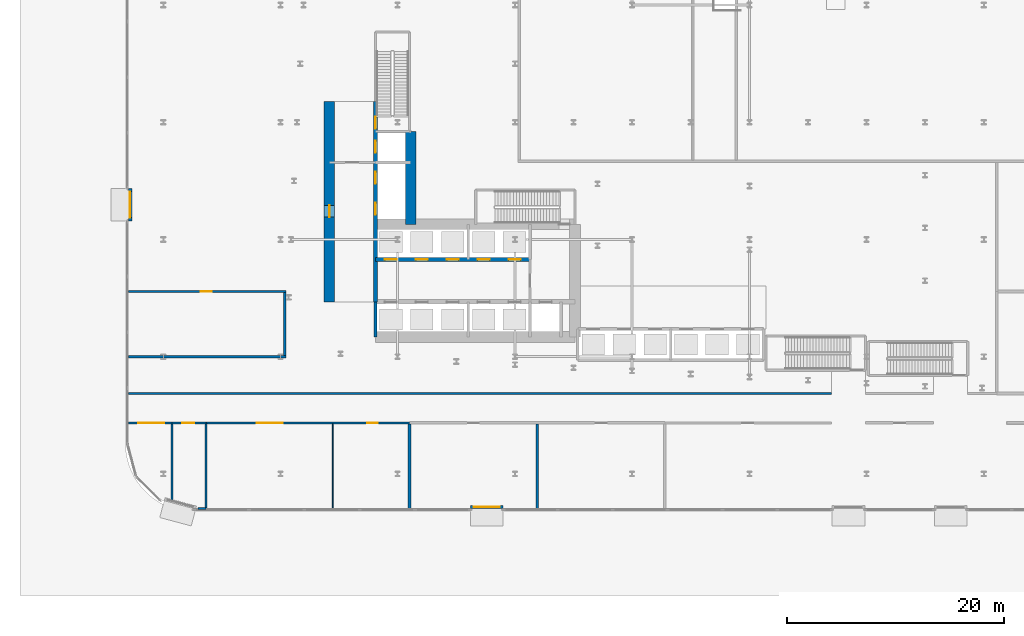
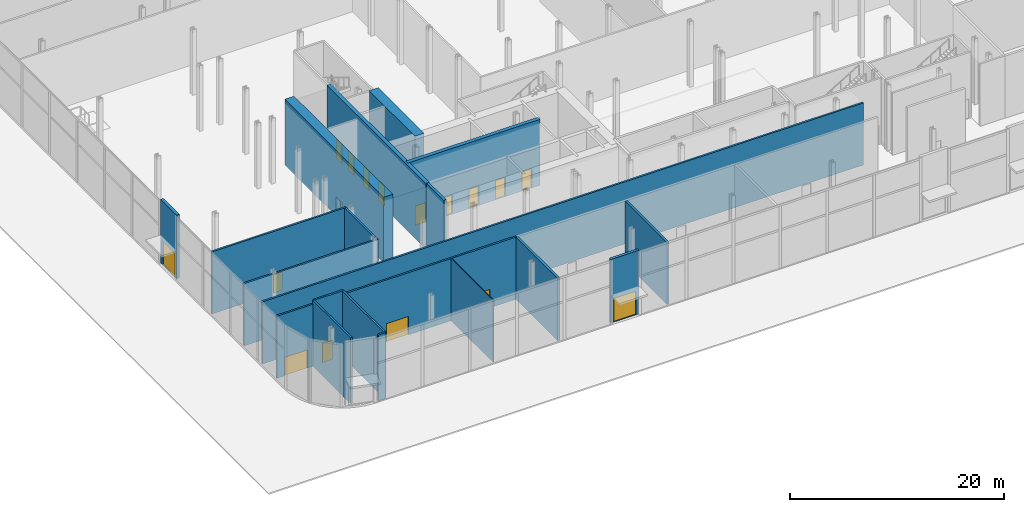
# One storey, part 23 of 46: 20 walls, 17 doors, 17 openings.
"""IFC4 building model written with IfcOpenShell, lengths in metres."""

from ifc_helpers import new_model, si_unit, direction, frame, frame_2d, origin, place, context, subcontext, project, spatial, rectangle, extrude, source, transform, mapped, material, layer, layer_set, type_object, element, fill, save


model = new_model("IFC4")

# Units and contexts
model_context = context("Model", 3, precision=1e-05, world=origin(), true_north=direction((0.0, 1.0)))
body_context = subcontext(model_context, "Body", "Model", "MODEL_VIEW")
ifc_project = project(units=[si_unit("LENGTHUNIT", "METRE"), si_unit("AREAUNIT", "SQUARE_METRE"), si_unit("VOLUMEUNIT", "CUBIC_METRE"), si_unit("PLANEANGLEUNIT", "RADIAN"), si_unit("MASSUNIT", "GRAM", prefix="KILO")], contexts=[model_context])

# Site, building, storey
site_placement = place(None, origin())
site = spatial("IfcSite", under=ifc_project, at=site_placement, CompositionType="ELEMENT")
building_placement = place(site_placement, origin())
building = spatial("IfcBuilding", under=site, at=building_placement, Name="Kheshtan School and Residences Tower", CompositionType="ELEMENT")
storey_placement = place(building_placement, origin())
storey = spatial("IfcBuildingStorey", under=building, at=storey_placement, Name="L00", CompositionType="ELEMENT", Elevation=0.0)

# Wall
ifc_material_1 = material(Name="Concrete C80/95", Category="concrete")
ifc_layer_1 = layer(ifc_material_1, 1.0)
ifc_layer_set_1 = layer_set([ifc_layer_1], Name="Core wall 1000 Concrete C80/95")
wall_type_1 = type_object("IfcWallType", Name="Core wall 1000 Concrete C80/95", PredefinedType="SHEAR", material=ifc_layer_set_1)
wall_1_placement = place(storey_placement, frame((38.0, 36.199951171875, 0.0), z_axis=(0.0, 0.0, 1.0), x_axis=(0.0, 1.0, 0.0)))
element("IfcWall", 1, at=wall_1_placement, inside=storey, type_object=wall_type_1, Name="Core wall CW-FRONT-W", PredefinedType="SHEAR", context=body_context, shape_type="SweptSolid", body=[
    extrude(rectangle(XDim=8.550048828125, YDim=1.0, at=frame_2d((4.27490234375, 0.0))), origin(), (0.0, 0.0, 1.0), 7.5),
])

# Wall, opening, door
wall_2_placement = place(storey_placement, frame((30.5, 29.050048828125, 0.0), z_axis=(0.0, 0.0, 1.0), x_axis=(0.0, 1.0, 0.0)))
wall_2 = element("IfcWall", 2, at=wall_2_placement, inside=storey, type_object=wall_type_1, Name="Core wall CW-REAR-W", PredefinedType="SHEAR", context=body_context, shape_type="SweptSolid", body=[
    extrude(rectangle(XDim=18.449951171875, YDim=1.0, at=frame_2d((9.22509765625, 0.0))), origin(), (0.0, 0.0, 1.0), 7.5),
])
opening_1_placement = place(wall_2_placement, frame((7.800048828125, 0.0, 0.0)))
opening_1 = element("IfcOpeningElement", 3, at=opening_1_placement, cuts=wall_2, Name="Opening SD90", PredefinedType="OPENING", context=body_context, shape_type="SweptSolid", body=[
    extrude(rectangle(XDim=1.10009765625, YDim=2.199951171875, at=frame_2d((0.550048828125, 1.10009765625))), frame((0.0, 0.510009765625, 0.0), z_axis=(0.0, -1.0, 0.0), x_axis=(1.0, 0.0, 0.0)), (0.0, 0.0, 1.0), 1.02001953125),
])
ifc_material_2 = material(Name="Steel door leaf, galvanised", Category="steel")
door_type_1 = type_object("IfcDoorType", Name="Stair door 1100 steel 90 min", OperationType="SINGLE_SWING_LEFT", PredefinedType="DOOR", material=ifc_material_2)
shared_shape_1 = source(origin(), body_context, "Body", "SweptSolid", [
    extrude(rectangle(XDim=1.10009765625, YDim=2.199951171875, at=frame_2d((0.550048828125, 1.10009765625))), frame((0.0, 0.02490234375, 0.0), z_axis=(0.0, -1.0, 0.0), x_axis=(1.0, 0.0, 0.0)), (0.0, 0.0, 1.0), 0.050048828125),
])
door_1_placement = place(opening_1_placement, origin())
door_1 = element("IfcDoor", 4, at=door_1_placement, inside=storey, type_object=door_type_1, Name="Lift hall door", OperationType="SINGLE_SWING_LEFT", OverallHeight=2.199951171875, OverallWidth=1.10009765625, PredefinedType="DOOR", context=body_context, shape_type="MappedRepresentation", body=[
    mapped(shared_shape_1, transform((0.0, 0.0, 0.0), x_axis=(1.0, 0.0, 0.0), y_axis=(0.0, 1.0, 0.0), z_axis=(0.0, 0.0, 1.0), scale=1.0)),
])
fill(opening_1, door_1)

# Wall, openings, doors
ifc_material_3 = material(Name="Concrete C50/60", Category="concrete")
ifc_layer_2 = layer(ifc_material_3, 0.39990234375)
ifc_layer_set_2 = layer_set([ifc_layer_2], Name="Core wall 400 Concrete C50/60")
wall_type_2 = type_object("IfcWallType", Name="Core wall 400 Concrete C50/60", PredefinedType="SHEAR", material=ifc_layer_set_2)
wall_3_placement = place(storey_placement, frame((34.75, 32.949951171875, 0.0), z_axis=(0.0, 0.0, 1.0), x_axis=(1.0, 0.0, 0.0)))
wall_3 = element("IfcWall", 5, at=wall_3_placement, inside=storey, type_object=wall_type_2, Name="Core wall CW-HALL-S2", PredefinedType="SHEAR", context=body_context, shape_type="SweptSolid", body=[
    extrude(rectangle(XDim=14.25, YDim=0.39990234375, at=frame_2d((7.125, 0.0))), origin(), (0.0, 0.0, 1.0), 7.5),
])
opening_2_placement = place(wall_3_placement, frame((0.875, 0.0, 0.0)))
opening_2 = element("IfcOpeningElement", 6, at=opening_2_placement, cuts=wall_3, Name="Opening LD", PredefinedType="OPENING", context=body_context, shape_type="SweptSolid", body=[
    extrude(rectangle(XDim=1.10009765625, YDim=2.199951171875, at=frame_2d((0.550048828125, 1.10009765625))), frame((0.0, 0.2099609375, 0.0), z_axis=(0.0, -1.0, 0.0), x_axis=(1.0, 0.0, 0.0)), (0.0, 0.0, 1.0), 0.419921875),
])
opening_3_placement = place(wall_3_placement, frame((3.72509765625, 0.0, 0.0)))
opening_3 = element("IfcOpeningElement", 7, at=opening_3_placement, cuts=wall_3, Name="Opening LD", PredefinedType="OPENING", context=body_context, shape_type="SweptSolid", body=[
    extrude(rectangle(XDim=1.10009765625, YDim=2.199951171875, at=frame_2d((0.550048828125, 1.10009765625))), frame((0.0, 0.2099609375, 0.0), z_axis=(0.0, -1.0, 0.0), x_axis=(1.0, 0.0, 0.0)), (0.0, 0.0, 1.0), 0.419921875),
])
opening_4_placement = place(wall_3_placement, frame((6.574951171875, 0.0, 0.0)))
opening_4 = element("IfcOpeningElement", 8, at=opening_4_placement, cuts=wall_3, Name="Opening LD", PredefinedType="OPENING", context=body_context, shape_type="SweptSolid", body=[
    extrude(rectangle(XDim=1.10009765625, YDim=2.199951171875, at=frame_2d((0.550048828125, 1.10009765625))), frame((0.0, 0.2099609375, 0.0), z_axis=(0.0, -1.0, 0.0), x_axis=(1.0, 0.0, 0.0)), (0.0, 0.0, 1.0), 0.419921875),
])
opening_5_placement = place(wall_3_placement, frame((9.425048828125, 0.0, 0.0)))
opening_5 = element("IfcOpeningElement", 9, at=opening_5_placement, cuts=wall_3, Name="Opening LD", PredefinedType="OPENING", context=body_context, shape_type="SweptSolid", body=[
    extrude(rectangle(XDim=1.10009765625, YDim=2.199951171875, at=frame_2d((0.550048828125, 1.10009765625))), frame((0.0, 0.2099609375, 0.0), z_axis=(0.0, -1.0, 0.0), x_axis=(1.0, 0.0, 0.0)), (0.0, 0.0, 1.0), 0.419921875),
])
opening_6_placement = place(wall_3_placement, frame((12.27490234375, 0.0, 0.0)))
opening_6 = element("IfcOpeningElement", 10, at=opening_6_placement, cuts=wall_3, Name="Opening LD", PredefinedType="OPENING", context=body_context, shape_type="SweptSolid", body=[
    extrude(rectangle(XDim=1.10009765625, YDim=2.199951171875, at=frame_2d((0.550048828125, 1.10009765625))), frame((0.0, 0.2099609375, 0.0), z_axis=(0.0, -1.0, 0.0), x_axis=(1.0, 0.0, 0.0)), (0.0, 0.0, 1.0), 0.419921875),
])
ifc_material_4 = material(Name="Stainless steel door leaves", Category="steel")
door_type_2 = type_object("IfcDoorType", Name="Lift landing door 1100", OperationType="SLIDING_TO_LEFT", PredefinedType="DOOR", material=ifc_material_4)
shared_shape_2 = source(origin(), body_context, "Body", "SweptSolid", [
    extrude(rectangle(XDim=1.10009765625, YDim=2.199951171875, at=frame_2d((0.550048828125, 1.10009765625))), frame((0.0, 0.02490234375, 0.0), z_axis=(0.0, -1.0, 0.0), x_axis=(1.0, 0.0, 0.0)), (0.0, 0.0, 1.0), 0.050048828125),
])
door_2_placement = place(opening_2_placement, origin())
door_2 = element("IfcDoor", 11, at=door_2_placement, inside=storey, type_object=door_type_2, Name="Lift P12 landing door", OperationType="SLIDING_TO_LEFT", OverallHeight=2.199951171875, OverallWidth=1.10009765625, PredefinedType="DOOR", context=body_context, shape_type="MappedRepresentation", body=[
    mapped(shared_shape_2, transform((0.0, 0.0, 0.0), x_axis=(1.0, 0.0, 0.0), y_axis=(0.0, 1.0, 0.0), z_axis=(0.0, 0.0, 1.0), scale=1.0)),
])
fill(opening_2, door_2)
door_3_placement = place(opening_3_placement, origin())
door_3 = element("IfcDoor", 12, at=door_3_placement, inside=storey, type_object=door_type_2, Name="Lift P13 landing door", OperationType="SLIDING_TO_LEFT", OverallHeight=2.199951171875, OverallWidth=1.10009765625, PredefinedType="DOOR", context=body_context, shape_type="MappedRepresentation", body=[
    mapped(shared_shape_2, transform((0.0, 0.0, 0.0), x_axis=(1.0, 0.0, 0.0), y_axis=(0.0, 1.0, 0.0), z_axis=(0.0, 0.0, 1.0), scale=1.0)),
])
fill(opening_3, door_3)
door_4_placement = place(opening_4_placement, origin())
door_4 = element("IfcDoor", 13, at=door_4_placement, inside=storey, type_object=door_type_2, Name="Lift P14 landing door", OperationType="SLIDING_TO_LEFT", OverallHeight=2.199951171875, OverallWidth=1.10009765625, PredefinedType="DOOR", context=body_context, shape_type="MappedRepresentation", body=[
    mapped(shared_shape_2, transform((0.0, 0.0, 0.0), x_axis=(1.0, 0.0, 0.0), y_axis=(0.0, 1.0, 0.0), z_axis=(0.0, 0.0, 1.0), scale=1.0)),
])
fill(opening_4, door_4)
door_5_placement = place(opening_5_placement, origin())
door_5 = element("IfcDoor", 14, at=door_5_placement, inside=storey, type_object=door_type_2, Name="Lift P15 landing door", OperationType="SLIDING_TO_LEFT", OverallHeight=2.199951171875, OverallWidth=1.10009765625, PredefinedType="DOOR", context=body_context, shape_type="MappedRepresentation", body=[
    mapped(shared_shape_2, transform((0.0, 0.0, 0.0), x_axis=(1.0, 0.0, 0.0), y_axis=(0.0, 1.0, 0.0), z_axis=(0.0, 0.0, 1.0), scale=1.0)),
])
fill(opening_5, door_5)
door_6_placement = place(opening_6_placement, origin())
door_6 = element("IfcDoor", 15, at=door_6_placement, inside=storey, type_object=door_type_2, Name="Lift P16 landing door", OperationType="SLIDING_TO_LEFT", OverallHeight=2.199951171875, OverallWidth=1.10009765625, PredefinedType="DOOR", context=body_context, shape_type="MappedRepresentation", body=[
    mapped(shared_shape_2, transform((0.0, 0.0, 0.0), x_axis=(1.0, 0.0, 0.0), y_axis=(0.0, 1.0, 0.0), z_axis=(0.0, 0.0, 1.0), scale=1.0)),
])
fill(opening_6, door_6)

wall_4_placement = place(storey_placement, frame((34.75, 29.050048828125, 0.0), z_axis=(0.0, 0.0, 1.0), x_axis=(0.0, 1.0, 0.0)))
wall_4 = element("IfcWall", 16, at=wall_4_placement, inside=storey, type_object=wall_type_2, Name="Core wall CW-HALL-W1", PredefinedType="SHEAR", context=body_context, shape_type="SweptSolid", body=[
    extrude(rectangle(XDim=18.449951171875, YDim=0.39990234375, at=frame_2d((9.22509765625, 0.0))), origin(), (0.0, 0.0, 1.0), 7.5),
])
opening_7_placement = place(wall_4_placement, frame((8.02490234375, 0.0, 0.0)))
opening_7 = element("IfcOpeningElement", 17, at=opening_7_placement, cuts=wall_4, Name="Opening LD", PredefinedType="OPENING", context=body_context, shape_type="SweptSolid", body=[
    extrude(rectangle(XDim=1.10009765625, YDim=2.199951171875, at=frame_2d((0.550048828125, 1.10009765625))), frame((0.0, 0.2099609375, 0.0), z_axis=(0.0, -1.0, 0.0), x_axis=(1.0, 0.0, 0.0)), (0.0, 0.0, 1.0), 0.419921875),
])
opening_8_placement = place(wall_4_placement, frame((10.875, 0.0, 0.0)))
opening_8 = element("IfcOpeningElement", 18, at=opening_8_placement, cuts=wall_4, Name="Opening LD", PredefinedType="OPENING", context=body_context, shape_type="SweptSolid", body=[
    extrude(rectangle(XDim=1.10009765625, YDim=2.199951171875, at=frame_2d((0.550048828125, 1.10009765625))), frame((0.0, 0.2099609375, 0.0), z_axis=(0.0, -1.0, 0.0), x_axis=(1.0, 0.0, 0.0)), (0.0, 0.0, 1.0), 0.419921875),
])
opening_9_placement = place(wall_4_placement, frame((13.72509765625, 0.0, 0.0)))
opening_9 = element("IfcOpeningElement", 19, at=opening_9_placement, cuts=wall_4, Name="Opening LD", PredefinedType="OPENING", context=body_context, shape_type="SweptSolid", body=[
    extrude(rectangle(XDim=1.10009765625, YDim=2.199951171875, at=frame_2d((0.550048828125, 1.10009765625))), frame((0.0, 0.2099609375, 0.0), z_axis=(0.0, -1.0, 0.0), x_axis=(1.0, 0.0, 0.0)), (0.0, 0.0, 1.0), 0.419921875),
])
opening_10_placement = place(wall_4_placement, frame((15.949951171875, 0.0, 0.0)))
opening_10 = element("IfcOpeningElement", 20, at=opening_10_placement, cuts=wall_4, Name="Opening ST2D", PredefinedType="OPENING", context=body_context, shape_type="SweptSolid", body=[
    extrude(rectangle(XDim=1.10009765625, YDim=2.199951171875, at=frame_2d((0.550048828125, 1.10009765625))), frame((0.0, 0.2099609375, 0.0), z_axis=(0.0, -1.0, 0.0), x_axis=(1.0, 0.0, 0.0)), (0.0, 0.0, 1.0), 0.419921875),
])
door_7_placement = place(opening_7_placement, origin())
door_7 = element("IfcDoor", 21, at=door_7_placement, inside=storey, type_object=door_type_2, Name="Lift SV1 landing door", OperationType="SLIDING_TO_LEFT", OverallHeight=2.199951171875, OverallWidth=1.10009765625, PredefinedType="DOOR", context=body_context, shape_type="MappedRepresentation", body=[
    mapped(shared_shape_2, transform((0.0, 0.0, 0.0), x_axis=(1.0, 0.0, 0.0), y_axis=(0.0, 1.0, 0.0), z_axis=(0.0, 0.0, 1.0), scale=1.0)),
])
fill(opening_7, door_7)
door_8_placement = place(opening_8_placement, origin())
door_8 = element("IfcDoor", 22, at=door_8_placement, inside=storey, type_object=door_type_2, Name="Lift SV2 landing door", OperationType="SLIDING_TO_LEFT", OverallHeight=2.199951171875, OverallWidth=1.10009765625, PredefinedType="DOOR", context=body_context, shape_type="MappedRepresentation", body=[
    mapped(shared_shape_2, transform((0.0, 0.0, 0.0), x_axis=(1.0, 0.0, 0.0), y_axis=(0.0, 1.0, 0.0), z_axis=(0.0, 0.0, 1.0), scale=1.0)),
])
fill(opening_8, door_8)
door_9_placement = place(opening_9_placement, origin())
door_9 = element("IfcDoor", 23, at=door_9_placement, inside=storey, type_object=door_type_2, Name="Lift FFL1 landing door", OperationType="SLIDING_TO_LEFT", OverallHeight=2.199951171875, OverallWidth=1.10009765625, PredefinedType="DOOR", context=body_context, shape_type="MappedRepresentation", body=[
    mapped(shared_shape_2, transform((0.0, 0.0, 0.0), x_axis=(1.0, 0.0, 0.0), y_axis=(0.0, 1.0, 0.0), z_axis=(0.0, 0.0, 1.0), scale=1.0)),
])
fill(opening_9, door_9)
door_10_placement = place(opening_10_placement, origin())
door_10 = element("IfcDoor", 24, at=door_10_placement, inside=storey, type_object=door_type_1, Name="Stair ST2 door", OperationType="SINGLE_SWING_RIGHT", OverallHeight=2.199951171875, OverallWidth=1.10009765625, PredefinedType="DOOR", context=body_context, shape_type="MappedRepresentation", body=[
    mapped(shared_shape_1, transform((0.0, 0.0, 0.0), x_axis=(1.0, 0.0, 0.0), y_axis=(0.0, 1.0, 0.0), z_axis=(0.0, 0.0, 1.0), scale=1.0)),
])
fill(opening_10, door_10)

# Wall, opening, door
ifc_material_5 = material(Name="Gypsum board on steel studs with fire boards", Category="steel")
ifc_layer_3 = layer(ifc_material_5, 0.199951171875)
ifc_layer_set_3 = layer_set([ifc_layer_3], Name="Corridor wall 200")
wall_type_3 = type_object("IfcWallType", Name="Corridor wall 200", PredefinedType="PARTITIONING", material=ifc_layer_set_3)
wall_5_placement = place(storey_placement, frame((12.0, 17.89990234375, 0.0), z_axis=(0.0, 0.0, 1.0), x_axis=(1.0, 0.0, 0.0)))
wall_5 = element("IfcWall", 25, at=wall_5_placement, inside=storey, type_object=wall_type_3, Name="Partition L00-001", PredefinedType="PARTITIONING", context=body_context, shape_type="SweptSolid", body=[
    extrude(rectangle(XDim=4.0, YDim=0.199951171875, at=frame_2d((2.0, 0.0))), origin(), (0.0, 0.0, 1.0), 7.080078125),
])
opening_11_placement = place(wall_5_placement, frame((0.89990234375, 0.0, 0.0)))
opening_11 = element("IfcOpeningElement", 26, at=opening_11_placement, cuts=wall_5, Name="Opening D00-031", PredefinedType="OPENING", context=body_context, shape_type="SweptSolid", body=[
    extrude(rectangle(XDim=2.39990234375, YDim=2.10009765625, at=frame_2d((1.199951171875, 1.050048828125))), frame((0.0, 0.10986328125, 0.0), z_axis=(0.0, -1.0, 0.0), x_axis=(1.0, 0.0, 0.0)), (0.0, 0.0, 1.0), 0.219970703125),
])
ifc_material_6 = material(Name="Steel-framed fire-resisting door leaf", Category="steel")
door_type_3 = type_object("IfcDoorType", Name="Fire double door FD60 2400 x 2100", OperationType="DOUBLE_DOOR_SINGLE_SWING", PredefinedType="DOOR", material=ifc_material_6)
shared_shape_3 = source(origin(), body_context, "Body", "SweptSolid", [
    extrude(rectangle(XDim=2.39990234375, YDim=2.10009765625, at=frame_2d((1.199951171875, 1.050048828125))), frame((0.0, 0.02490234375, 0.0), z_axis=(0.0, -1.0, 0.0), x_axis=(1.0, 0.0, 0.0)), (0.0, 0.0, 1.0), 0.050048828125),
])
door_11_placement = place(opening_11_placement, origin())
door_11 = element("IfcDoor", 27, at=door_11_placement, inside=storey, type_object=door_type_3, Name="Door D00-031", OperationType="DOUBLE_DOOR_SINGLE_SWING", OverallHeight=2.10009765625, OverallWidth=2.39990234375, PredefinedType="DOOR", context=body_context, shape_type="MappedRepresentation", body=[
    mapped(shared_shape_3, transform((0.0, 0.0, 0.0), x_axis=(1.0, 0.0, 0.0), y_axis=(0.0, 1.0, 0.0), z_axis=(0.0, 0.0, 1.0), scale=1.0)),
])
fill(opening_11, door_11)

# Walls
wall_6_placement = place(storey_placement, frame((12.0, 20.60009765625, 0.0), z_axis=(0.0, 0.0, 1.0), x_axis=(1.0, 0.0, 0.0)))
element("IfcWall", 28, at=wall_6_placement, inside=storey, type_object=wall_type_3, Name="Partition L00-002", PredefinedType="PARTITIONING", context=body_context, shape_type="SweptSolid", body=[
    extrude(rectangle(XDim=64.760009765625, YDim=0.199951171875, at=frame_2d((32.3798828125, 0.0))), origin(), (0.0, 0.0, 1.0), 7.080078125),
])
wall_7_placement = place(storey_placement, frame((12.0, 24.0, 0.0), z_axis=(0.0, 0.0, 1.0), x_axis=(1.0, 0.0, 0.0)))
element("IfcWall", 29, at=wall_7_placement, inside=storey, type_object=wall_type_3, Name="Partition L00-003", PredefinedType="PARTITIONING", context=body_context, shape_type="SweptSolid", body=[
    extrude(rectangle(XDim=14.5, YDim=0.199951171875, at=frame_2d((7.25, 0.0))), origin(), (0.0, 0.0, 1.0), 7.080078125),
])

# Wall, opening, door
wall_8_placement = place(storey_placement, frame((12.0, 30.0, 0.0), z_axis=(0.0, 0.0, 1.0), x_axis=(1.0, 0.0, 0.0)))
wall_8 = element("IfcWall", 30, at=wall_8_placement, inside=storey, type_object=wall_type_3, Name="Partition L00-004", PredefinedType="PARTITIONING", context=body_context, shape_type="SweptSolid", body=[
    extrude(rectangle(XDim=14.5, YDim=0.199951171875, at=frame_2d((7.25, 0.0))), origin(), (0.0, 0.0, 1.0), 7.080078125),
])
opening_12_placement = place(wall_8_placement, frame((6.64990234375, 0.0, 0.0)))
opening_12 = element("IfcOpeningElement", 31, at=opening_12_placement, cuts=wall_8, Name="Opening D00-001", PredefinedType="OPENING", context=body_context, shape_type="SweptSolid", body=[
    extrude(rectangle(XDim=1.0, YDim=2.10009765625, at=frame_2d((0.5, 1.050048828125))), frame((0.0, 0.10986328125, 0.0), z_axis=(0.0, -1.0, 0.0), x_axis=(1.0, 0.0, 0.0)), (0.0, 0.0, 1.0), 0.219970703125),
])
door_type_4 = type_object("IfcDoorType", Name="Fire door FD60 1000 x 2100", OperationType="SINGLE_SWING_LEFT", PredefinedType="DOOR", material=ifc_material_6)
shared_shape_4 = source(origin(), body_context, "Body", "SweptSolid", [
    extrude(rectangle(XDim=1.0, YDim=2.10009765625, at=frame_2d((0.5, 1.050048828125))), frame((0.0, 0.02490234375, 0.0), z_axis=(0.0, -1.0, 0.0), x_axis=(1.0, 0.0, 0.0)), (0.0, 0.0, 1.0), 0.050048828125),
])
door_12_placement = place(opening_12_placement, origin())
door_12 = element("IfcDoor", 32, at=door_12_placement, inside=storey, type_object=door_type_4, Name="Door D00-001", OperationType="SINGLE_SWING_LEFT", OverallHeight=2.10009765625, OverallWidth=1.0, PredefinedType="DOOR", context=body_context, shape_type="MappedRepresentation", body=[
    mapped(shared_shape_4, transform((0.0, 0.0, 0.0), x_axis=(1.0, 0.0, 0.0), y_axis=(0.0, 1.0, 0.0), z_axis=(0.0, 0.0, 1.0), scale=1.0)),
])
fill(opening_12, door_12)

# Wall, openings, doors
wall_9_placement = place(storey_placement, frame((19.14990234375, 17.89990234375, 0.0), z_axis=(0.0, 0.0, 1.0), x_axis=(1.0, 0.0, 0.0)))
wall_9 = element("IfcWall", 33, at=wall_9_placement, inside=storey, type_object=wall_type_3, Name="Partition L00-010", PredefinedType="PARTITIONING", context=body_context, shape_type="SweptSolid", body=[
    extrude(rectangle(XDim=18.732177734375, YDim=0.199951171875, at=frame_2d((9.3662109375, 0.0))), origin(), (0.0, 0.0, 1.0), 7.080078125),
])
opening_13_placement = place(wall_9_placement, frame((4.64990234375, 0.0, 0.0)))
opening_13 = element("IfcOpeningElement", 34, at=opening_13_placement, cuts=wall_9, Name="Opening D00-030", PredefinedType="OPENING", context=body_context, shape_type="SweptSolid", body=[
    extrude(rectangle(XDim=2.39990234375, YDim=2.10009765625, at=frame_2d((1.199951171875, 1.050048828125))), frame((0.0, 0.10986328125, 0.0), z_axis=(0.0, -1.0, 0.0), x_axis=(1.0, 0.0, 0.0)), (0.0, 0.0, 1.0), 0.219970703125),
])
opening_14_placement = place(wall_9_placement, frame((14.823974609375, 0.0, 0.0)))
opening_14 = element("IfcOpeningElement", 35, at=opening_14_placement, cuts=wall_9, Name="Opening D00-032", PredefinedType="OPENING", context=body_context, shape_type="SweptSolid", body=[
    extrude(rectangle(XDim=1.0, YDim=2.10009765625, at=frame_2d((0.5, 1.050048828125))), frame((0.0, 0.10986328125, 0.0), z_axis=(0.0, -1.0, 0.0), x_axis=(1.0, 0.0, 0.0)), (0.0, 0.0, 1.0), 0.219970703125),
])
door_13_placement = place(opening_14_placement, origin())
door_13 = element("IfcDoor", 36, at=door_13_placement, inside=storey, type_object=door_type_4, Name="Door D00-032", OperationType="SINGLE_SWING_LEFT", OverallHeight=2.10009765625, OverallWidth=1.0, PredefinedType="DOOR", context=body_context, shape_type="MappedRepresentation", body=[
    mapped(shared_shape_4, transform((0.0, 0.0, 0.0), x_axis=(1.0, 0.0, 0.0), y_axis=(0.0, 1.0, 0.0), z_axis=(0.0, 0.0, 1.0), scale=1.0)),
])
fill(opening_14, door_13)
door_14_placement = place(opening_13_placement, origin())
door_14 = element("IfcDoor", 37, at=door_14_placement, inside=storey, type_object=door_type_3, Name="Door D00-030", OperationType="DOUBLE_DOOR_SINGLE_SWING", OverallHeight=2.10009765625, OverallWidth=2.39990234375, PredefinedType="DOOR", context=body_context, shape_type="MappedRepresentation", body=[
    mapped(shared_shape_3, transform((0.0, 0.0, 0.0), x_axis=(1.0, 0.0, 0.0), y_axis=(0.0, 1.0, 0.0), z_axis=(0.0, 0.0, 1.0), scale=1.0)),
])
fill(opening_13, door_14)

# Walls
wall_10_placement = place(storey_placement, frame((26.39990234375, 24.10009765625, 0.0), z_axis=(0.0, 0.0, 1.0), x_axis=(0.0, 1.0, 0.0)))
element("IfcWall", 38, at=wall_10_placement, inside=storey, type_object=wall_type_3, Name="Partition L00-013", PredefinedType="PARTITIONING", context=body_context, shape_type="SweptSolid", body=[
    extrude(rectangle(XDim=5.7998046875, YDim=0.199951171875, at=frame_2d((2.89990234375, 0.0))), origin(), (0.0, 0.0, 1.0), 7.080078125),
])
ifc_material_7 = material(Name="Gypsum board on steel studs", Category="steel")
ifc_layer_4 = layer(ifc_material_7, 0.10009765625)
ifc_layer_set_4 = layer_set([ifc_layer_4], Name="Gypsum partition 100")
wall_type_4 = type_object("IfcWallType", Name="Gypsum partition 100", PredefinedType="PARTITIONING", material=ifc_layer_set_4)
wall_11_placement = place(storey_placement, frame((30.823974609375, 10.0, 0.0), z_axis=(0.0, 0.0, 1.0), x_axis=(0.0, 1.0, 0.0)))
element("IfcWall", 39, at=wall_11_placement, inside=storey, type_object=wall_type_4, Name="Partition L00-015", PredefinedType="PARTITIONING", context=body_context, shape_type="SweptSolid", body=[
    extrude(rectangle(XDim=7.800048828125, YDim=0.10009765625, at=frame_2d((3.89990234375, 0.0))), origin(), (0.0, 0.0, 1.0), 7.080078125),
])
ifc_material_8 = material(Name="Fire-board and steel stud wall with mineral wool", Category="steel")
ifc_layer_5 = layer(ifc_material_8, 0.25)
ifc_layer_set_5 = layer_set([ifc_layer_5], Name="Plant room wall 250")
wall_type_5 = type_object("IfcWallType", Name="Plant room wall 250", PredefinedType="PARTITIONING", material=ifc_layer_set_5)
for number, where, z_axis, x_axis, name in (
    (40, (37.882080078125, 10.0, 0.0), (0.0, 0.0, 1.0), (0.0, 1.0, 0.0), "Partition L00-018"),
    (41, (49.64697265625, 10.0, 0.0), (0.0, 0.0, 1.0), (0.0, 1.0, 0.0), "Partition L00-029"),
):
    element("IfcWall", number, at=place(storey_placement, frame(where, z_axis=z_axis, x_axis=x_axis)), inside=storey, type_object=wall_type_5, Name=name, PredefinedType="PARTITIONING", context=body_context, shape_type="SweptSolid", body=[
        extrude(rectangle(XDim=7.77490234375, YDim=0.25, at=frame_2d((3.887451171875, 0.0))), origin(), (0.0, 0.0, 1.0), 7.080078125),
    ])

# Wall, opening, door
ifc_material_9 = material(Name="Concrete C40/50 with ceramic cladding and mineral wool insulation", Category="concrete")
ifc_layer_6 = layer(ifc_material_9, 0.300048828125)
ifc_layer_set_6 = layer_set([ifc_layer_6], Name="Podium external wall 300")
wall_type_6 = type_object("IfcWallType", Name="Podium external wall 300", PredefinedType="SOLIDWALL", material=ifc_layer_set_6)
wall_12_placement = place(storey_placement, frame((46.5, 10.14990234375, 0.0), z_axis=(0.0, 0.0, 1.0), x_axis=(-1.0, 0.0, 0.0)))
wall_12 = element("IfcWall", 42, at=wall_12_placement, inside=storey, type_object=wall_type_6, Name="Podium external wall L00 12.9", PredefinedType="SOLIDWALL", context=body_context, shape_type="SweptSolid", body=[
    extrude(rectangle(XDim=3.0, YDim=0.300048828125, at=frame_2d((1.5, 0.0))), origin(), (0.0, 0.0, 1.0), 7.25),
])
opening_15_placement = place(wall_12_placement, frame((0.300048828125, 0.0, 0.0)))
opening_15 = element("IfcOpeningElement", 43, at=opening_15_placement, cuts=wall_12, Name="Opening ED", PredefinedType="OPENING", context=body_context, shape_type="SweptSolid", body=[
    extrude(rectangle(XDim=2.39990234375, YDim=2.699951171875, at=frame_2d((1.199951171875, 1.35009765625))), frame((0.0, 0.16015625, 0.0), z_axis=(0.0, -1.0, 0.0), x_axis=(1.0, 0.0, 0.0)), (0.0, 0.0, 1.0), 0.320068359375),
])
ifc_material_10 = material(Name="Clear low-e glass in thermally broken aluminium frame", Category="aluminium")
door_type_5 = type_object("IfcDoorType", Name="Entrance double door", OperationType="DOUBLE_DOOR_SINGLE_SWING", PredefinedType="DOOR", material=ifc_material_10)
shared_shape_5 = source(origin(), body_context, "Body", "SweptSolid", [
    extrude(rectangle(XDim=2.39990234375, YDim=2.699951171875, at=frame_2d((1.199951171875, 1.35009765625))), frame((0.0, 0.02490234375, 0.0), z_axis=(0.0, -1.0, 0.0), x_axis=(1.0, 0.0, 0.0)), (0.0, 0.0, 1.0), 0.050048828125),
])
door_15_placement = place(opening_15_placement, origin())
door_15 = element("IfcDoor", 44, at=door_15_placement, inside=storey, type_object=door_type_5, Name="Entrance door 12.9", OperationType="DOUBLE_DOOR_SINGLE_SWING", OverallHeight=2.699951171875, OverallWidth=2.39990234375, PredefinedType="DOOR", context=body_context, shape_type="MappedRepresentation", body=[
    mapped(shared_shape_5, transform((0.0, 0.0, 0.0), x_axis=(1.0, 0.0, 0.0), y_axis=(0.0, 1.0, 0.0), z_axis=(0.0, 0.0, 1.0), scale=1.0)),
])
fill(opening_15, door_15)

wall_13_placement = place(storey_placement, frame((12.14990234375, 36.5, 0.0), z_axis=(0.0, 0.0, 1.0), x_axis=(0.0, 1.0, 0.0)))
wall_13 = element("IfcWall", 45, at=wall_13_placement, inside=storey, type_object=wall_type_6, Name="Podium external wall L00 16.1", PredefinedType="SOLIDWALL", context=body_context, shape_type="SweptSolid", body=[
    extrude(rectangle(XDim=3.0, YDim=0.300048828125, at=frame_2d((1.5, 0.0))), origin(), (0.0, 0.0, 1.0), 7.25),
])
opening_16_placement = place(wall_13_placement, frame((0.300048828125, 0.0, 0.0)))
opening_16 = element("IfcOpeningElement", 46, at=opening_16_placement, cuts=wall_13, Name="Opening ED", PredefinedType="OPENING", context=body_context, shape_type="SweptSolid", body=[
    extrude(rectangle(XDim=2.39990234375, YDim=2.699951171875, at=frame_2d((1.199951171875, 1.35009765625))), frame((0.0, 0.16015625, 0.0), z_axis=(0.0, -1.0, 0.0), x_axis=(1.0, 0.0, 0.0)), (0.0, 0.0, 1.0), 0.320068359375),
])
door_16_placement = place(opening_16_placement, origin())
door_16 = element("IfcDoor", 47, at=door_16_placement, inside=storey, type_object=door_type_5, Name="Entrance door 16.1", OperationType="DOUBLE_DOOR_SINGLE_SWING", OverallHeight=2.699951171875, OverallWidth=2.39990234375, PredefinedType="DOOR", context=body_context, shape_type="MappedRepresentation", body=[
    mapped(shared_shape_5, transform((0.0, 0.0, 0.0), x_axis=(1.0, 0.0, 0.0), y_axis=(0.0, 1.0, 0.0), z_axis=(0.0, 0.0, 1.0), scale=1.0)),
])
fill(opening_16, door_16)

# Walls
ifc_material_11 = material(Name="Fire-board shaft wall system")
ifc_layer_7 = layer(ifc_material_11, 0.25)
ifc_layer_set_7 = layer_set([ifc_layer_7], Name="Shaft lining wall 250")
wall_type_7 = type_object("IfcWallType", Name="Shaft lining wall 250", PredefinedType="PARTITIONING", material=ifc_layer_set_7)
wall_14_placement = place(storey_placement, frame((34.75, 25.800048828125, 0.0), z_axis=(0.0, 0.0, 1.0), x_axis=(0.0, 1.0, 0.0)))
element("IfcWall", 48, at=wall_14_placement, inside=storey, type_object=wall_type_7, Name="Shaft lining wall", PredefinedType="PARTITIONING", context=body_context, shape_type="SweptSolid", body=[
    extrude(rectangle(XDim=3.25, YDim=0.25, at=frame_2d((1.625, 0.0))), origin(), (0.0, 0.0, 1.0), 7.5),
])
ifc_material_12 = material(Name="Concrete C40/50", Category="concrete")
ifc_layer_8 = layer(ifc_material_12, 0.199951171875)
ifc_layer_set_8 = layer_set([ifc_layer_8], Name="Stair enclosure wall 200 Concrete C40/50")
wall_type_8 = type_object("IfcWallType", Name="Stair enclosure wall 200 Concrete C40/50", PredefinedType="SHEAR", material=ifc_layer_set_8)
wall_15_placement = place(storey_placement, frame((18.3798828125, 10.0, 0.0), z_axis=(0.0, 0.0, 1.0), x_axis=(1.0, 0.0, 0.0)))
element("IfcWall", 49, at=wall_15_placement, inside=storey, type_object=wall_type_8, Name="Stair enclosure wall", PredefinedType="SHEAR", context=body_context, shape_type="SweptSolid", body=[
    extrude(rectangle(XDim=0.77001953125, YDim=0.199951171875, at=frame_2d((0.385009765625, 0.0))), origin(), (0.0, 0.0, 1.0), 7.5),
])

# Wall, opening, door
wall_16_placement = place(storey_placement, frame((16.0, 17.89990234375, 0.0), z_axis=(0.0, 0.0, 1.0), x_axis=(1.0, 0.0, 0.0)))
wall_16 = element("IfcWall", 50, at=wall_16_placement, inside=storey, type_object=wall_type_8, Name="Stair enclosure wall", PredefinedType="SHEAR", context=body_context, shape_type="SweptSolid", body=[
    extrude(rectangle(XDim=3.14990234375, YDim=0.199951171875, at=frame_2d((1.574951171875, 0.0))), origin(), (0.0, 0.0, 1.0), 7.5),
])
opening_17_placement = place(wall_16_placement, frame((0.949951171875, 0.0, 0.0)))
opening_17 = element("IfcOpeningElement", 51, at=opening_17_placement, cuts=wall_16, Name="Opening SD90", PredefinedType="OPENING", context=body_context, shape_type="SweptSolid", body=[
    extrude(rectangle(XDim=1.10009765625, YDim=2.199951171875, at=frame_2d((0.550048828125, 1.10009765625))), frame((0.0, 0.10986328125, 0.0), z_axis=(0.0, -1.0, 0.0), x_axis=(1.0, 0.0, 0.0)), (0.0, 0.0, 1.0), 0.219970703125),
])
door_17_placement = place(opening_17_placement, origin())
door_17 = element("IfcDoor", 52, at=door_17_placement, inside=storey, type_object=door_type_1, Name="Stair door", OperationType="SINGLE_SWING_RIGHT", OverallHeight=2.199951171875, OverallWidth=1.10009765625, PredefinedType="DOOR", context=body_context, shape_type="MappedRepresentation", body=[
    mapped(shared_shape_1, transform((0.0, 0.0, 0.0), x_axis=(1.0, 0.0, 0.0), y_axis=(0.0, 1.0, 0.0), z_axis=(0.0, 0.0, 1.0), scale=1.0)),
])
fill(opening_17, door_17)

# Walls
wall_17_placement = place(storey_placement, frame((16.0, 10.7900390625, 0.0), z_axis=(0.0, 0.0, 1.0), x_axis=(0.0, 1.0, 0.0)))
element("IfcWall", 53, at=wall_17_placement, inside=storey, type_object=wall_type_8, Name="Stair enclosure wall", PredefinedType="SHEAR", context=body_context, shape_type="SweptSolid", body=[
    extrude(rectangle(XDim=7.10986328125, YDim=0.199951171875, at=frame_2d((3.554931640625, 0.0))), origin(), (0.0, 0.0, 1.0), 7.5),
])
wall_18_placement = place(storey_placement, frame((19.14990234375, 10.0, 0.0), z_axis=(0.0, 0.0, 1.0), x_axis=(0.0, 1.0, 0.0)))
element("IfcWall", 54, at=wall_18_placement, inside=storey, type_object=wall_type_8, Name="Stair enclosure wall", PredefinedType="SHEAR", context=body_context, shape_type="SweptSolid", body=[
    extrude(rectangle(XDim=7.89990234375, YDim=0.199951171875, at=frame_2d((3.949951171875, 0.0))), origin(), (0.0, 0.0, 1.0), 7.5),
])

save(model, "model.ifc")
